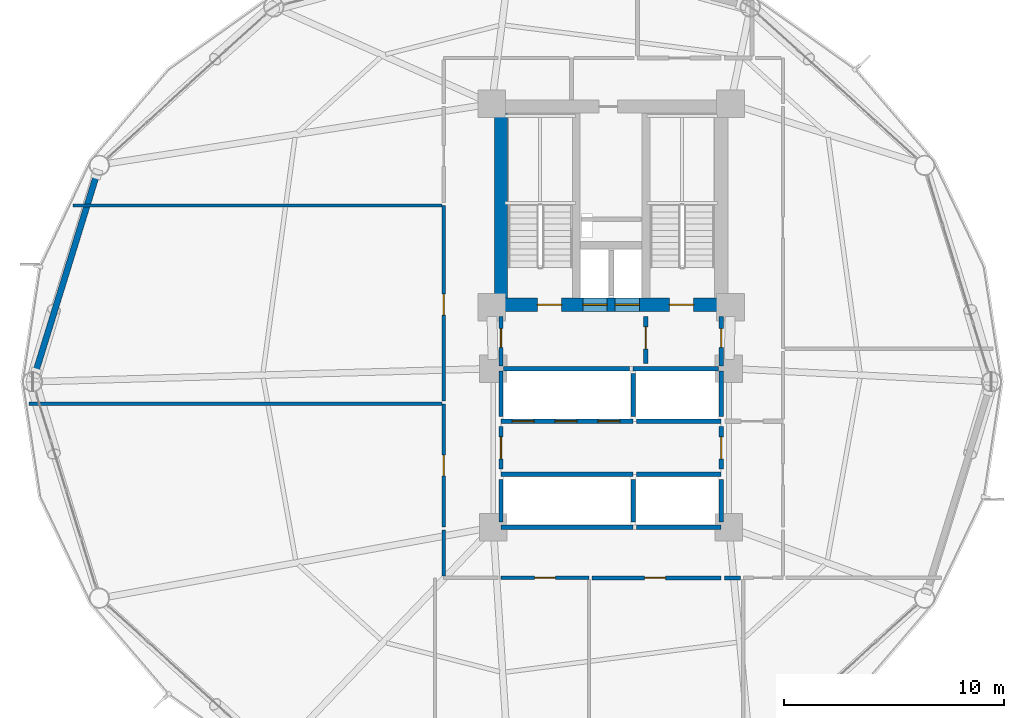
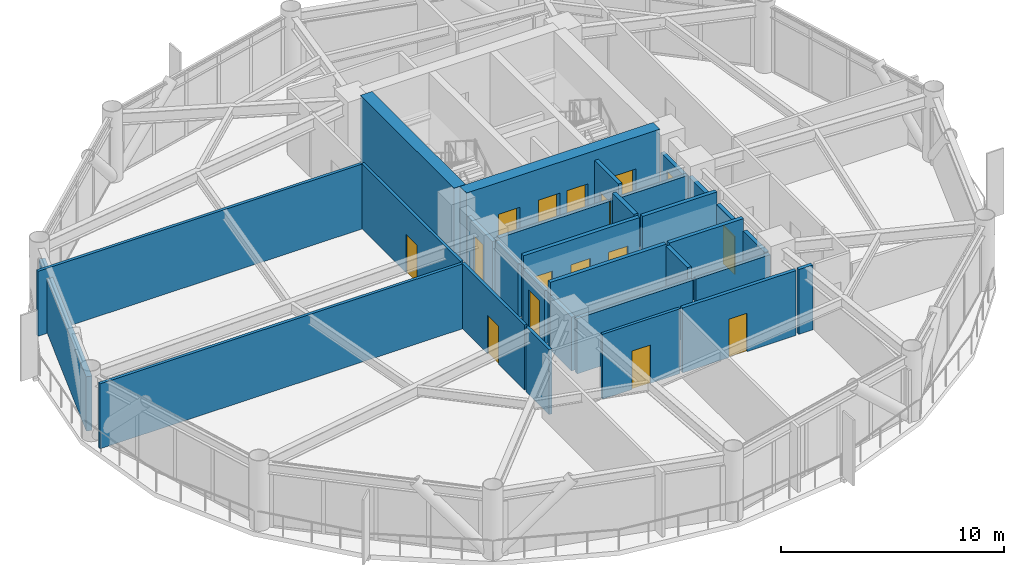
# One storey, part 20 of 25: 30 walls, 16 doors, 16 openings.
"""IFC4 building model written with IfcOpenShell, lengths in metres."""

from ifc_helpers import new_model, si_unit, direction, frame, frame_2d, origin, place, context, subcontext, project, spatial, rectangle, extrude, material, layer, layer_set, type_object, element, fill, save


model = new_model("IFC4")

# Units and contexts
model_context = context("Model", 3, precision=1e-05, world=origin(), true_north=direction((0.0, 1.0)))
body_context = subcontext(model_context, "Body", "Model", "MODEL_VIEW")
ifc_project = project(units=[si_unit("LENGTHUNIT", "METRE"), si_unit("AREAUNIT", "SQUARE_METRE"), si_unit("VOLUMEUNIT", "CUBIC_METRE"), si_unit("PLANEANGLEUNIT", "RADIAN"), si_unit("MASSUNIT", "GRAM", prefix="KILO")], contexts=[model_context])

# Site, building, storey
site_placement = place(None, origin())
site = spatial("IfcSite", under=ifc_project, at=site_placement, CompositionType="ELEMENT")
building_placement = place(site_placement, origin())
building = spatial("IfcBuilding", under=site, at=building_placement, Name="Varnakorn Sky Granary", CompositionType="ELEMENT")
storey_placement = place(building_placement, frame((0.0, 0.0, 74.39990234375)))
storey = spatial("IfcBuildingStorey", under=building, at=storey_placement, Name="L18", CompositionType="ELEMENT", Elevation=74.39990234375)

# Wall, openings, doors
ifc_material_1 = material(Name="Concrete C60/75", Category="concrete")
ifc_layer_1 = layer(ifc_material_1, 0.60009765625, Name="Concrete C60/75")
ifc_layer_set_1 = layer_set([ifc_layer_1], Name="Concrete C60/75")
wall_type_1 = type_object("IfcWallType", Name="WT-CW-SHEAR-600", PredefinedType="SHEAR", material=ifc_layer_set_1)
wall_1_placement = place(storey_placement, frame((-2.0, 3.5, 0.0), z_axis=(0.0, 0.0, 1.0), x_axis=(1.0, 0.0, 0.0)))
wall_1 = element("IfcWall", 1, at=wall_1_placement, inside=storey, type_object=wall_type_1, Name="Core South Shear Wall L18", PredefinedType="SHEAR", context=body_context, shape_type="SweptSolid", body=[
    extrude(rectangle(XDim=10.0, YDim=0.60009765625, at=frame_2d((5.0, 0.0))), origin(), (0.0, 0.0, 1.0), 3.89208984375),
])
opening_1_placement = place(wall_1_placement, frame((1.64990234375, 0.0, 0.0)))
opening_1 = element("IfcOpeningElement", 2, at=opening_1_placement, cuts=wall_1, Name="Opening FD-90", PredefinedType="OPENING", context=body_context, shape_type="SweptSolid", body=[
    extrude(rectangle(XDim=1.10009765625, YDim=2.14990234375, at=frame_2d((0.550048828125, 1.074951171875))), frame((0.0, 0.31005859375, 0.0), z_axis=(0.0, -1.0, 0.0), x_axis=(1.0, 0.0, 0.0)), (0.0, 0.0, 1.0), 0.6201171875),
])
opening_2_placement = place(wall_1_placement, frame((7.64990234375, 0.0, 0.0)))
opening_2 = element("IfcOpeningElement", 3, at=opening_2_placement, cuts=wall_1, Name="Opening FD-90", PredefinedType="OPENING", context=body_context, shape_type="SweptSolid", body=[
    extrude(rectangle(XDim=1.10009765625, YDim=2.14990234375, at=frame_2d((0.550048828125, 1.074951171875))), frame((0.0, 0.31005859375, 0.0), z_axis=(0.0, -1.0, 0.0), x_axis=(1.0, 0.0, 0.0)), (0.0, 0.0, 1.0), 0.6201171875),
])
opening_3_placement = place(wall_1_placement, frame((3.719970703125, 0.0, 0.0)))
opening_3 = element("IfcOpeningElement", 4, at=opening_3_placement, cuts=wall_1, Name="Opening LD-01", PredefinedType="OPENING", context=body_context, shape_type="SweptSolid", body=[
    extrude(rectangle(XDim=1.10009765625, YDim=2.199951171875, at=frame_2d((0.550048828125, 1.10009765625))), frame((0.0, 0.31005859375, 0.0), z_axis=(0.0, -1.0, 0.0), x_axis=(1.0, 0.0, 0.0)), (0.0, 0.0, 1.0), 0.6201171875),
])
opening_4_placement = place(wall_1_placement, frame((5.179931640625, 0.0, 0.0)))
opening_4 = element("IfcOpeningElement", 5, at=opening_4_placement, cuts=wall_1, Name="Opening LD-01", PredefinedType="OPENING", context=body_context, shape_type="SweptSolid", body=[
    extrude(rectangle(XDim=1.10009765625, YDim=2.199951171875, at=frame_2d((0.550048828125, 1.10009765625))), frame((0.0, 0.31005859375, 0.0), z_axis=(0.0, -1.0, 0.0), x_axis=(1.0, 0.0, 0.0)), (0.0, 0.0, 1.0), 0.6201171875),
])
ifc_material_2 = material(Name="Brushed Bronze Stainless Steel", Category="steel")
door_type_1 = type_object("IfcDoorType", Name="DR-LD-1100", OperationType="DOUBLE_DOOR_SLIDING", PredefinedType="DOOR", material=ifc_material_2)
door_1_placement = place(opening_3_placement, origin())
door_1 = element("IfcDoor", 6, at=door_1_placement, inside=storey, type_object=door_type_1, Name="Firefighting Lift FFL-1 Landing Door L18", OperationType="DOUBLE_DOOR_SLIDING", OverallHeight=2.199951171875, OverallWidth=1.10009765625, PredefinedType="DOOR", context=body_context, shape_type="SweptSolid", body=[
    extrude(rectangle(XDim=1.10009765625, YDim=2.199951171875, at=frame_2d((0.550048828125, 1.10009765625))), frame((0.0, 0.02490234375, 0.0), z_axis=(0.0, -1.0, 0.0), x_axis=(1.0, 0.0, 0.0)), (0.0, 0.0, 1.0), 0.050048828125),
])
fill(opening_3, door_1)
door_2_placement = place(opening_4_placement, origin())
door_2 = element("IfcDoor", 7, at=door_2_placement, inside=storey, type_object=door_type_1, Name="Firefighting Lift FFL-2 Landing Door L18", OperationType="DOUBLE_DOOR_SLIDING", OverallHeight=2.199951171875, OverallWidth=1.10009765625, PredefinedType="DOOR", context=body_context, shape_type="SweptSolid", body=[
    extrude(rectangle(XDim=1.10009765625, YDim=2.199951171875, at=frame_2d((0.550048828125, 1.10009765625))), frame((0.0, 0.02490234375, 0.0), z_axis=(0.0, -1.0, 0.0), x_axis=(1.0, 0.0, 0.0)), (0.0, 0.0, 1.0), 0.050048828125),
])
fill(opening_4, door_2)
ifc_material_3 = material(Name="Galvanised Painted Steel Leaf", Category="steel")
door_type_2 = type_object("IfcDoorType", Name="DR-STAIR-1100", OperationType="NOTDEFINED", PredefinedType="DOOR", material=ifc_material_3)
door_3_placement = place(opening_1_placement, origin())
door_3 = element("IfcDoor", 8, at=door_3_placement, inside=storey, type_object=door_type_2, Name="Stair ST-1 Protected Fire Door L18", OperationType="SINGLE_SWING_LEFT", OverallHeight=2.14990234375, OverallWidth=1.10009765625, PredefinedType="DOOR", context=body_context, shape_type="SweptSolid", body=[
    extrude(rectangle(XDim=1.10009765625, YDim=2.14990234375, at=frame_2d((0.550048828125, 1.074951171875))), frame((0.0, 0.02490234375, 0.0), z_axis=(0.0, -1.0, 0.0), x_axis=(1.0, 0.0, 0.0)), (0.0, 0.0, 1.0), 0.050048828125),
])
fill(opening_1, door_3)
door_4_placement = place(opening_2_placement, origin())
door_4 = element("IfcDoor", 9, at=door_4_placement, inside=storey, type_object=door_type_2, Name="Stair ST-2 Protected Fire Door L18", OperationType="SINGLE_SWING_RIGHT", OverallHeight=2.14990234375, OverallWidth=1.10009765625, PredefinedType="DOOR", context=body_context, shape_type="SweptSolid", body=[
    extrude(rectangle(XDim=1.10009765625, YDim=2.14990234375, at=frame_2d((0.550048828125, 1.074951171875))), frame((0.0, 0.02490234375, 0.0), z_axis=(0.0, -1.0, 0.0), x_axis=(1.0, 0.0, 0.0)), (0.0, 0.0, 1.0), 0.050048828125),
])
fill(opening_2, door_4)

# Walls
wall_2_placement = place(storey_placement, frame((-2.0, 3.81005859375, 0.0), z_axis=(0.0, 0.0, 1.0), x_axis=(0.0, 1.0, 0.0)))
element("IfcWall", 10, at=wall_2_placement, inside=storey, type_object=wall_type_1, Name="Core West Shear Wall L18", PredefinedType="SHEAR", context=body_context, shape_type="SweptSolid", body=[
    extrude(rectangle(XDim=8.3798828125, YDim=0.60009765625, at=frame_2d((4.18994140625, 0.0))), origin(), (0.0, 0.0, 1.0), 3.89208984375),
])
ifc_material_4 = material(Name="Precast concrete C40/50", Category="concrete")
ifc_layer_2 = layer(ifc_material_4, 0.280029296875, Name="Precast concrete C40/50")
ifc_layer_set_2 = layer_set([ifc_layer_2], Name="Precast concrete C40/50")
wall_type_2 = type_object("IfcWallType", Name="WT-EW-CRN-280", PredefinedType="SOLIDWALL", material=ifc_layer_set_2)
wall_3_placement = place(storey_placement, frame((-23.140380859375, 0.393798828125, 0.0), z_axis=(0.0, 0.0, 1.0), x_axis=(0.294972891191, 0.955505621889, 0.0)))
element("IfcWall", 11, at=wall_3_placement, inside=storey, type_object=wall_type_2, Name="Agritech Insulated Precast Facade Wall L18-P06", PredefinedType="SOLIDWALL", context=body_context, shape_type="SweptSolid", body=[
    extrude(rectangle(XDim=9.4560546875, YDim=0.280029296875, at=frame_2d((4.72802734375, 0.0))), origin(), (0.0, 0.0, 1.0), 2.97021484375),
])

# Wall, opening, door
ifc_material_5 = material(Name="Autoclaved Aerated Concrete Blockwork", Category="masonry")
ifc_layer_3 = layer(ifc_material_5, 0.199951171875, Name="Autoclaved Aerated Concrete Blockwork")
ifc_layer_set_3 = layer_set([ifc_layer_3], Name="Autoclaved Aerated Concrete Blockwork")
wall_type_3 = type_object("IfcWallType", Name="WT-FIRE-200", PredefinedType="MOVABLE", material=ifc_layer_set_3)
wall_4_placement = place(storey_placement, frame((4.580078125, 0.830078125, 0.0), z_axis=(0.0, 0.0, 1.0), x_axis=(0.0, 1.0, 0.0)))
wall_4 = element("IfcWall", 12, at=wall_4_placement, inside=storey, type_object=wall_type_3, Name="Interior Partition Wall L18-016", PredefinedType="MOVABLE", context=body_context, shape_type="SweptSolid", body=[
    extrude(rectangle(XDim=2.139892578125, YDim=0.199951171875, at=frame_2d((1.06982421875, 0.0))), origin(), (0.0, 0.0, 1.0), 3.550048828125),
])
opening_5_placement = place(wall_4_placement, frame((0.659912109375, 0.0, 0.0)))
opening_5 = element("IfcOpeningElement", 13, at=opening_5_placement, cuts=wall_4, Name="Opening FD-60", PredefinedType="OPENING", context=body_context, shape_type="SweptSolid", body=[
    extrude(rectangle(XDim=1.0, YDim=2.10009765625, at=frame_2d((0.5, 1.050048828125))), frame((0.0, 0.10986328125, 0.0), z_axis=(0.0, -1.0, 0.0), x_axis=(1.0, 0.0, 0.0)), (0.0, 0.0, 1.0), 0.219970703125),
])
ifc_material_6 = material(Name="Acoustic Timber Fire Leaf", Category="wood")
door_type_3 = type_object("IfcDoorType", Name="DR-FD60-1000", OperationType="NOTDEFINED", PredefinedType="DOOR", material=ifc_material_6)
door_5_placement = place(opening_5_placement, origin())
door_5 = element("IfcDoor", 14, at=door_5_placement, inside=storey, type_object=door_type_3, Name="Interior Door L18-016-1", OperationType="SINGLE_SWING_LEFT", OverallHeight=2.10009765625, OverallWidth=1.0, PredefinedType="DOOR", context=body_context, shape_type="SweptSolid", body=[
    extrude(rectangle(XDim=1.0, YDim=2.10009765625, at=frame_2d((0.5, 1.050048828125))), frame((0.0, 0.02490234375, 0.0), z_axis=(0.0, -1.0, 0.0), x_axis=(1.0, 0.0, 0.0)), (0.0, 0.0, 1.0), 0.050048828125),
])
fill(opening_5, door_5)

wall_5_placement = place(storey_placement, frame((-2.0, 0.719970703125, 0.0), z_axis=(0.0, 0.0, 1.0), x_axis=(0.0, 1.0, 0.0)))
wall_5 = element("IfcWall", 15, at=wall_5_placement, inside=storey, type_object=wall_type_3, Name="Interior Partition Wall L18-017", PredefinedType="MOVABLE", context=body_context, shape_type="SweptSolid", body=[
    extrude(rectangle(XDim=2.25, YDim=0.199951171875, at=frame_2d((1.125, 0.0))), origin(), (0.0, 0.0, 1.0), 2.781982421875),
])
opening_6_placement = place(wall_5_placement, frame((0.844970703125, 0.0, 0.0)))
opening_6 = element("IfcOpeningElement", 16, at=opening_6_placement, cuts=wall_5, Name="Opening FD-60N", PredefinedType="OPENING", context=body_context, shape_type="SweptSolid", body=[
    extrude(rectangle(XDim=0.85009765625, YDim=2.10009765625, at=frame_2d((0.425048828125, 1.050048828125))), frame((0.0, 0.10986328125, 0.0), z_axis=(0.0, -1.0, 0.0), x_axis=(1.0, 0.0, 0.0)), (0.0, 0.0, 1.0), 0.219970703125),
])
door_type_4 = type_object("IfcDoorType", Name="DR-FD60-850", OperationType="NOTDEFINED", PredefinedType="DOOR", material=ifc_material_6)
door_6_placement = place(opening_6_placement, origin())
door_6 = element("IfcDoor", 17, at=door_6_placement, inside=storey, type_object=door_type_4, Name="Interior Door L18-017-1", OperationType="SINGLE_SWING_RIGHT", OverallHeight=2.10009765625, OverallWidth=0.85009765625, PredefinedType="DOOR", context=body_context, shape_type="SweptSolid", body=[
    extrude(rectangle(XDim=0.85009765625, YDim=2.10009765625, at=frame_2d((0.425048828125, 1.050048828125))), frame((0.0, 0.02490234375, 0.0), z_axis=(0.0, -1.0, 0.0), x_axis=(1.0, 0.0, 0.0)), (0.0, 0.0, 1.0), 0.050048828125),
])
fill(opening_6, door_6)

wall_6_placement = place(storey_placement, frame((8.0, 0.719970703125, 0.0), z_axis=(0.0, 0.0, 1.0), x_axis=(0.0, 1.0, 0.0)))
wall_6 = element("IfcWall", 18, at=wall_6_placement, inside=storey, type_object=wall_type_3, Name="Interior Partition Wall L18-018", PredefinedType="MOVABLE", context=body_context, shape_type="SweptSolid", body=[
    extrude(rectangle(XDim=2.25, YDim=0.199951171875, at=frame_2d((1.125, 0.0))), origin(), (0.0, 0.0, 1.0), 2.781982421875),
])
opening_7_placement = place(wall_6_placement, frame((0.844970703125, 0.0, 0.0)))
opening_7 = element("IfcOpeningElement", 19, at=opening_7_placement, cuts=wall_6, Name="Opening FD-60N", PredefinedType="OPENING", context=body_context, shape_type="SweptSolid", body=[
    extrude(rectangle(XDim=0.85009765625, YDim=2.10009765625, at=frame_2d((0.425048828125, 1.050048828125))), frame((0.0, 0.10986328125, 0.0), z_axis=(0.0, -1.0, 0.0), x_axis=(1.0, 0.0, 0.0)), (0.0, 0.0, 1.0), 0.219970703125),
])
door_7_placement = place(opening_7_placement, origin())
door_7 = element("IfcDoor", 20, at=door_7_placement, inside=storey, type_object=door_type_4, Name="Interior Door L18-018-1", OperationType="SINGLE_SWING_LEFT", OverallHeight=2.10009765625, OverallWidth=0.85009765625, PredefinedType="DOOR", context=body_context, shape_type="SweptSolid", body=[
    extrude(rectangle(XDim=0.85009765625, YDim=2.10009765625, at=frame_2d((0.425048828125, 1.050048828125))), frame((0.0, 0.02490234375, 0.0), z_axis=(0.0, -1.0, 0.0), x_axis=(1.0, 0.0, 0.0)), (0.0, 0.0, 1.0), 0.050048828125),
])
fill(opening_7, door_7)

wall_7_placement = place(storey_placement, frame((-2.0, -3.969970703125, 0.0), z_axis=(0.0, 0.0, 1.0), x_axis=(0.0, 1.0, 0.0)))
wall_7 = element("IfcWall", 21, at=wall_7_placement, inside=storey, type_object=wall_type_3, Name="Interior Partition Wall L18-019", PredefinedType="MOVABLE", context=body_context, shape_type="SweptSolid", body=[
    extrude(rectangle(XDim=1.93994140625, YDim=0.199951171875, at=frame_2d((0.969970703125, 0.0))), origin(), (0.0, 0.0, 1.0), 2.93212890625),
])
opening_8_placement = place(wall_7_placement, frame((0.469970703125, 0.0, 0.0)))
opening_8 = element("IfcOpeningElement", 22, at=opening_8_placement, cuts=wall_7, Name="Opening FD-60", PredefinedType="OPENING", context=body_context, shape_type="SweptSolid", body=[
    extrude(rectangle(XDim=1.0, YDim=2.10009765625, at=frame_2d((0.5, 1.050048828125))), frame((0.0, 0.10986328125, 0.0), z_axis=(0.0, -1.0, 0.0), x_axis=(1.0, 0.0, 0.0)), (0.0, 0.0, 1.0), 0.219970703125),
])
door_8_placement = place(opening_8_placement, origin())
door_8 = element("IfcDoor", 23, at=door_8_placement, inside=storey, type_object=door_type_3, Name="Interior Door L18-019-1", OperationType="SINGLE_SWING_RIGHT", OverallHeight=2.10009765625, OverallWidth=1.0, PredefinedType="DOOR", context=body_context, shape_type="SweptSolid", body=[
    extrude(rectangle(XDim=1.0, YDim=2.10009765625, at=frame_2d((0.5, 1.050048828125))), frame((0.0, 0.02490234375, 0.0), z_axis=(0.0, -1.0, 0.0), x_axis=(1.0, 0.0, 0.0)), (0.0, 0.0, 1.0), 0.050048828125),
])
fill(opening_8, door_8)

wall_8_placement = place(storey_placement, frame((8.0, -3.969970703125, 0.0), z_axis=(0.0, 0.0, 1.0), x_axis=(0.0, 1.0, 0.0)))
wall_8 = element("IfcWall", 24, at=wall_8_placement, inside=storey, type_object=wall_type_3, Name="Interior Partition Wall L18-020", PredefinedType="MOVABLE", context=body_context, shape_type="SweptSolid", body=[
    extrude(rectangle(XDim=1.93994140625, YDim=0.199951171875, at=frame_2d((0.969970703125, 0.0))), origin(), (0.0, 0.0, 1.0), 2.982177734375),
])
opening_9_placement = place(wall_8_placement, frame((0.469970703125, 0.0, 0.0)))
opening_9 = element("IfcOpeningElement", 25, at=opening_9_placement, cuts=wall_8, Name="Opening FD-60", PredefinedType="OPENING", context=body_context, shape_type="SweptSolid", body=[
    extrude(rectangle(XDim=1.0, YDim=2.10009765625, at=frame_2d((0.5, 1.050048828125))), frame((0.0, 0.10986328125, 0.0), z_axis=(0.0, -1.0, 0.0), x_axis=(1.0, 0.0, 0.0)), (0.0, 0.0, 1.0), 0.219970703125),
])
door_9_placement = place(opening_9_placement, origin())
door_9 = element("IfcDoor", 26, at=door_9_placement, inside=storey, type_object=door_type_3, Name="Interior Door L18-020-1", OperationType="SINGLE_SWING_LEFT", OverallHeight=2.10009765625, OverallWidth=1.0, PredefinedType="DOOR", context=body_context, shape_type="SweptSolid", body=[
    extrude(rectangle(XDim=1.0, YDim=2.10009765625, at=frame_2d((0.5, 1.050048828125))), frame((0.0, 0.02490234375, 0.0), z_axis=(0.0, -1.0, 0.0), x_axis=(1.0, 0.0, 0.0)), (0.0, 0.0, 1.0), 0.050048828125),
])
fill(opening_9, door_9)

# Wall
wall_9_placement = place(storey_placement, frame((-1.8798828125, 0.60009765625, 0.0), z_axis=(0.0, 0.0, 1.0), x_axis=(1.0, 0.0, 0.0)))
element("IfcWall", 27, at=wall_9_placement, inside=storey, type_object=wall_type_3, Name="Interior Partition Wall L18-031", PredefinedType="MOVABLE", context=body_context, shape_type="SweptSolid", body=[
    extrude(rectangle(XDim=5.719970703125, YDim=0.199951171875, at=frame_2d((2.85986328125, 0.0))), origin(), (0.0, 0.0, 1.0), 3.031982421875),
])

# Wall, opening, door
ifc_material_7 = material(Name="Gypsum Plasterboard on Steel Stud", Category="steel")
ifc_layer_4 = layer(ifc_material_7, 0.14990234375, Name="Gypsum Plasterboard on Steel Stud")
ifc_layer_set_4 = layer_set([ifc_layer_4], Name="Gypsum Plasterboard on Steel Stud")
wall_type_4 = type_object("IfcWallType", Name="WT-PART-150", PredefinedType="PARTITIONING", material=ifc_layer_set_4)
wall_10_placement = place(storey_placement, frame((-2.0, -8.89990234375, 0.0), z_axis=(0.0, 0.0, 1.0), x_axis=(1.0, 0.0, 0.0)))
wall_10 = element("IfcWall", 28, at=wall_10_placement, inside=storey, type_object=wall_type_4, Name="Interior Partition Wall L18-023", PredefinedType="PARTITIONING", context=body_context, shape_type="SweptSolid", body=[
    extrude(rectangle(XDim=4.0, YDim=0.14990234375, at=frame_2d((2.0, 0.0))), origin(), (0.0, 0.0, 1.0), 3.550048828125),
])
opening_10_placement = place(wall_10_placement, frame((1.52490234375, 0.0, 0.0)))
opening_10 = element("IfcOpeningElement", 29, at=opening_10_placement, cuts=wall_10, Name="Opening ID-95", PredefinedType="OPENING", context=body_context, shape_type="SweptSolid", body=[
    extrude(rectangle(XDim=0.949951171875, YDim=2.10009765625, at=frame_2d((0.47509765625, 1.050048828125))), frame((0.0, 0.0849609375, 0.0), z_axis=(0.0, -1.0, 0.0), x_axis=(1.0, 0.0, 0.0)), (0.0, 0.0, 1.0), 0.169921875),
])
ifc_material_8 = material(Name="Solid-Core Teak Veneer Leaf", Category="timber")
door_type_5 = type_object("IfcDoorType", Name="DR-INT-950", OperationType="NOTDEFINED", PredefinedType="DOOR", material=ifc_material_8)
door_10_placement = place(opening_10_placement, origin())
door_10 = element("IfcDoor", 30, at=door_10_placement, inside=storey, type_object=door_type_5, Name="Interior Door L18-023-1", OperationType="SINGLE_SWING_RIGHT", OverallHeight=2.10009765625, OverallWidth=0.949951171875, PredefinedType="DOOR", context=body_context, shape_type="SweptSolid", body=[
    extrude(rectangle(XDim=0.949951171875, YDim=2.10009765625, at=frame_2d((0.47509765625, 1.050048828125))), frame((0.0, 0.02490234375, 0.0), z_axis=(0.0, -1.0, 0.0), x_axis=(1.0, 0.0, 0.0)), (0.0, 0.0, 1.0), 0.050048828125),
])
fill(opening_10, door_10)

wall_11_placement = place(storey_placement, frame((-4.60009765625, -1.0, 0.0), z_axis=(0.0, 0.0, 1.0), x_axis=(0.0, -1.0, 0.0)))
wall_11 = element("IfcWall", 31, at=wall_11_placement, inside=storey, type_object=wall_type_4, Name="Interior Partition Wall L18-026", PredefinedType="PARTITIONING", context=body_context, shape_type="SweptSolid", body=[
    extrude(rectangle(XDim=5.60009765625, YDim=0.14990234375, at=frame_2d((2.800048828125, 0.0))), origin(), (0.0, 0.0, 1.0), 3.550048828125),
])
opening_11_placement = place(wall_11_placement, frame((2.324951171875, 0.0, 0.0)))
opening_11 = element("IfcOpeningElement", 32, at=opening_11_placement, cuts=wall_11, Name="Opening ID-95", PredefinedType="OPENING", context=body_context, shape_type="SweptSolid", body=[
    extrude(rectangle(XDim=0.949951171875, YDim=2.10009765625, at=frame_2d((0.47509765625, 1.050048828125))), frame((0.0, 0.0849609375, 0.0), z_axis=(0.0, -1.0, 0.0), x_axis=(1.0, 0.0, 0.0)), (0.0, 0.0, 1.0), 0.169921875),
])
door_11_placement = place(opening_11_placement, origin())
door_11 = element("IfcDoor", 33, at=door_11_placement, inside=storey, type_object=door_type_5, Name="Interior Door L18-026-1", OperationType="SINGLE_SWING_LEFT", OverallHeight=2.10009765625, OverallWidth=0.949951171875, PredefinedType="DOOR", context=body_context, shape_type="SweptSolid", body=[
    extrude(rectangle(XDim=0.949951171875, YDim=2.10009765625, at=frame_2d((0.47509765625, 1.050048828125))), frame((0.0, 0.02490234375, 0.0), z_axis=(0.0, -1.0, 0.0), x_axis=(1.0, 0.0, 0.0)), (0.0, 0.0, 1.0), 0.050048828125),
])
fill(opening_11, door_11)

wall_12_placement = place(storey_placement, frame((-4.60009765625, 8.0, 0.0), z_axis=(0.0, 0.0, 1.0), x_axis=(0.0, -1.0, 0.0)))
wall_12 = element("IfcWall", 34, at=wall_12_placement, inside=storey, type_object=wall_type_4, Name="Interior Partition Wall L18-027", PredefinedType="PARTITIONING", context=body_context, shape_type="SweptSolid", body=[
    extrude(rectangle(XDim=8.864990234375, YDim=0.14990234375, at=frame_2d((4.4326171875, 0.0))), origin(), (0.0, 0.0, 1.0), 3.550048828125),
])
opening_12_placement = place(wall_12_placement, frame((4.02490234375, 0.0, 0.0)))
opening_12 = element("IfcOpeningElement", 35, at=opening_12_placement, cuts=wall_12, Name="Opening ID-95", PredefinedType="OPENING", context=body_context, shape_type="SweptSolid", body=[
    extrude(rectangle(XDim=0.949951171875, YDim=2.10009765625, at=frame_2d((0.47509765625, 1.050048828125))), frame((0.0, 0.0849609375, 0.0), z_axis=(0.0, -1.0, 0.0), x_axis=(1.0, 0.0, 0.0)), (0.0, 0.0, 1.0), 0.169921875),
])
door_12_placement = place(opening_12_placement, origin())
door_12 = element("IfcDoor", 36, at=door_12_placement, inside=storey, type_object=door_type_5, Name="Interior Door L18-027-1", OperationType="SINGLE_SWING_RIGHT", OverallHeight=2.10009765625, OverallWidth=0.949951171875, PredefinedType="DOOR", context=body_context, shape_type="SweptSolid", body=[
    extrude(rectangle(XDim=0.949951171875, YDim=2.10009765625, at=frame_2d((0.47509765625, 1.050048828125))), frame((0.0, 0.02490234375, 0.0), z_axis=(0.0, -1.0, 0.0), x_axis=(1.0, 0.0, 0.0)), (0.0, 0.0, 1.0), 0.050048828125),
])
fill(opening_12, door_12)

# Walls
wall_13_placement = place(storey_placement, frame((-4.60009765625, -6.735107421875, 0.0), z_axis=(0.0, 0.0, 1.0), x_axis=(0.0, -1.0, 0.0)))
element("IfcWall", 37, at=wall_13_placement, inside=storey, type_object=wall_type_4, Name="Interior Partition Wall L18-040", PredefinedType="PARTITIONING", context=body_context, shape_type="SweptSolid", body=[
    extrude(rectangle(XDim=2.079833984375, YDim=0.14990234375, at=frame_2d((1.0400390625, 0.0))), origin(), (0.0, 0.0, 1.0), 3.550048828125),
])
wall_14_placement = place(storey_placement, frame((-23.4189453125, -1.0, 0.0), z_axis=(0.0, 0.0, 1.0), x_axis=(1.0, 0.0, 0.0)))
element("IfcWall", 38, at=wall_14_placement, inside=storey, type_object=wall_type_4, Name="Interior Partition Wall L18-041", PredefinedType="PARTITIONING", context=body_context, shape_type="SweptSolid", body=[
    extrude(rectangle(XDim=18.73388671875, YDim=0.14990234375, at=frame_2d((9.366943359375, 0.0))), origin(), (0.0, 0.0, 1.0), 3.550048828125),
])
wall_15_placement = place(storey_placement, frame((-21.43896484375, 8.0, 0.0), z_axis=(0.0, 0.0, 1.0), x_axis=(1.0, 0.0, 0.0)))
element("IfcWall", 39, at=wall_15_placement, inside=storey, type_object=wall_type_4, Name="Interior Partition Wall L18-042", PredefinedType="PARTITIONING", context=body_context, shape_type="SweptSolid", body=[
    extrude(rectangle(XDim=16.75390625, YDim=0.14990234375, at=frame_2d((8.376953125, 0.0))), origin(), (0.0, 0.0, 1.0), 3.550048828125),
])

# Wall, opening, door
ifc_material_9 = material(Name="Moisture-Resistant Gypsum on Stud", Category="gypsum")
ifc_layer_5 = layer(ifc_material_9, 0.179931640625, Name="Moisture-Resistant Gypsum on Stud")
ifc_layer_set_5 = layer_set([ifc_layer_5], Name="Moisture-Resistant Gypsum on Stud")
wall_type_5 = type_object("IfcWallType", Name="WT-PLUMB-180", PredefinedType="PLUMBINGWALL", material=ifc_layer_set_5)
wall_16_placement = place(storey_placement, frame((2.135009765625, -8.89990234375, 0.0), z_axis=(0.0, 0.0, 1.0), x_axis=(1.0, 0.0, 0.0)))
wall_16 = element("IfcWall", 40, at=wall_16_placement, inside=storey, type_object=wall_type_5, Name="Interior Partition Wall L18-024", PredefinedType="PLUMBINGWALL", context=body_context, shape_type="SweptSolid", body=[
    extrude(rectangle(XDim=5.864990234375, YDim=0.179931640625, at=frame_2d((2.9326171875, 0.0))), origin(), (0.0, 0.0, 1.0), 3.550048828125),
])
opening_13_placement = place(wall_16_placement, frame((2.389892578125, 0.0, 0.0)))
opening_13 = element("IfcOpeningElement", 41, at=opening_13_placement, cuts=wall_16, Name="Opening ID-95", PredefinedType="OPENING", context=body_context, shape_type="SweptSolid", body=[
    extrude(rectangle(XDim=0.949951171875, YDim=2.10009765625, at=frame_2d((0.47509765625, 1.050048828125))), frame((0.0, 0.10009765625, 0.0), z_axis=(0.0, -1.0, 0.0), x_axis=(1.0, 0.0, 0.0)), (0.0, 0.0, 1.0), 0.199951171875),
])
door_13_placement = place(opening_13_placement, origin())
door_13 = element("IfcDoor", 42, at=door_13_placement, inside=storey, type_object=door_type_5, Name="Interior Door L18-024-1", OperationType="SINGLE_SWING_LEFT", OverallHeight=2.10009765625, OverallWidth=0.949951171875, PredefinedType="DOOR", context=body_context, shape_type="SweptSolid", body=[
    extrude(rectangle(XDim=0.949951171875, YDim=2.10009765625, at=frame_2d((0.47509765625, 1.050048828125))), frame((0.0, 0.02490234375, 0.0), z_axis=(0.0, -1.0, 0.0), x_axis=(1.0, 0.0, 0.0)), (0.0, 0.0, 1.0), 0.050048828125),
])
fill(opening_13, door_13)

# Walls
wall_17_placement = place(storey_placement, frame((8.14990234375, -8.89990234375, 0.0), z_axis=(0.0, 0.0, 1.0), x_axis=(1.0, 0.0, 0.0)))
element("IfcWall", 43, at=wall_17_placement, inside=storey, type_object=wall_type_5, Name="Interior Partition Wall L18-037", PredefinedType="PLUMBINGWALL", context=body_context, shape_type="SweptSolid", body=[
    extrude(rectangle(XDim=0.715087890625, YDim=0.179931640625, at=frame_2d((0.357421875, 0.0))), origin(), (0.0, 0.0, 1.0), 3.550048828125),
])
ifc_layer_6 = layer(ifc_material_5, 0.199951171875, Name="Autoclaved Aerated Concrete Blockwork")
ifc_layer_set_6 = layer_set([ifc_layer_6], Name="Autoclaved Aerated Concrete Blockwork")
wall_type_6 = type_object("IfcWallType", Name="WT-SHAFT-200", PredefinedType="SOLIDWALL", material=ifc_layer_set_6)
wall_18_placement = place(storey_placement, frame((4.0, 0.60009765625, 0.0), z_axis=(0.0, 0.0, 1.0), x_axis=(1.0, 0.0, 0.0)))
element("IfcWall", 44, at=wall_18_placement, inside=storey, type_object=wall_type_6, Name="Interior Partition Wall L18-003", PredefinedType="SOLIDWALL", context=body_context, shape_type="SweptSolid", body=[
    extrude(rectangle(XDim=3.8798828125, YDim=0.199951171875, at=frame_2d((1.93994140625, 0.0))), origin(), (0.0, 0.0, 1.0), 3.031982421875),
])

# Wall, openings, doors
wall_19_placement = place(storey_placement, frame((-2.0, -1.800048828125, 0.0), z_axis=(0.0, 0.0, 1.0), x_axis=(1.0, 0.0, 0.0)))
wall_19 = element("IfcWall", 45, at=wall_19_placement, inside=storey, type_object=wall_type_6, Name="Interior Partition Wall L18-004", PredefinedType="SOLIDWALL", context=body_context, shape_type="SweptSolid", body=[
    extrude(rectangle(XDim=6.0, YDim=0.199951171875, at=frame_2d((3.0, 0.0))), origin(), (0.0, 0.0, 1.0), 3.550048828125),
])
opening_14_placement = place(wall_19_placement, frame((0.5, 0.0, 0.0)))
opening_14 = element("IfcOpeningElement", 46, at=opening_14_placement, cuts=wall_19, Name="Opening LD-03", PredefinedType="OPENING", context=body_context, shape_type="SweptSolid", body=[
    extrude(rectangle(XDim=1.0, YDim=2.199951171875, at=frame_2d((0.5, 1.10009765625))), frame((0.0, 0.10986328125, 0.0), z_axis=(0.0, -1.0, 0.0), x_axis=(1.0, 0.0, 0.0)), (0.0, 0.0, 1.0), 0.219970703125),
])
opening_15_placement = place(wall_19_placement, frame((2.449951171875, 0.0, 0.0)))
opening_15 = element("IfcOpeningElement", 47, at=opening_15_placement, cuts=wall_19, Name="Opening LD-03", PredefinedType="OPENING", context=body_context, shape_type="SweptSolid", body=[
    extrude(rectangle(XDim=1.0, YDim=2.199951171875, at=frame_2d((0.5, 1.10009765625))), frame((0.0, 0.10986328125, 0.0), z_axis=(0.0, -1.0, 0.0), x_axis=(1.0, 0.0, 0.0)), (0.0, 0.0, 1.0), 0.219970703125),
])
opening_16_placement = place(wall_19_placement, frame((4.39990234375, 0.0, 0.0)))
opening_16 = element("IfcOpeningElement", 48, at=opening_16_placement, cuts=wall_19, Name="Opening LD-03", PredefinedType="OPENING", context=body_context, shape_type="SweptSolid", body=[
    extrude(rectangle(XDim=1.0, YDim=2.199951171875, at=frame_2d((0.5, 1.10009765625))), frame((0.0, 0.10986328125, 0.0), z_axis=(0.0, -1.0, 0.0), x_axis=(1.0, 0.0, 0.0)), (0.0, 0.0, 1.0), 0.219970703125),
])
door_type_6 = type_object("IfcDoorType", Name="DR-LD-1000", OperationType="DOUBLE_DOOR_SLIDING", PredefinedType="DOOR", material=ifc_material_2)
door_14_placement = place(opening_14_placement, origin())
door_14 = element("IfcDoor", 49, at=door_14_placement, inside=storey, type_object=door_type_6, Name="Passenger Lift PL-L1 Sliding Landing Door L18", OperationType="DOUBLE_DOOR_SLIDING", OverallHeight=2.199951171875, OverallWidth=1.0, PredefinedType="DOOR", context=body_context, shape_type="SweptSolid", body=[
    extrude(rectangle(XDim=1.0, YDim=2.199951171875, at=frame_2d((0.5, 1.10009765625))), frame((0.0, 0.02490234375, 0.0), z_axis=(0.0, -1.0, 0.0), x_axis=(1.0, 0.0, 0.0)), (0.0, 0.0, 1.0), 0.050048828125),
])
fill(opening_14, door_14)
door_15_placement = place(opening_15_placement, origin())
door_15 = element("IfcDoor", 50, at=door_15_placement, inside=storey, type_object=door_type_6, Name="Passenger Lift PL-L2 Sliding Landing Door L18", OperationType="DOUBLE_DOOR_SLIDING", OverallHeight=2.199951171875, OverallWidth=1.0, PredefinedType="DOOR", context=body_context, shape_type="SweptSolid", body=[
    extrude(rectangle(XDim=1.0, YDim=2.199951171875, at=frame_2d((0.5, 1.10009765625))), frame((0.0, 0.02490234375, 0.0), z_axis=(0.0, -1.0, 0.0), x_axis=(1.0, 0.0, 0.0)), (0.0, 0.0, 1.0), 0.050048828125),
])
fill(opening_15, door_15)
door_16_placement = place(opening_16_placement, origin())
door_16 = element("IfcDoor", 51, at=door_16_placement, inside=storey, type_object=door_type_6, Name="Passenger Lift PL-L3 Sliding Landing Door L18", OperationType="DOUBLE_DOOR_SLIDING", OverallHeight=2.199951171875, OverallWidth=1.0, PredefinedType="DOOR", context=body_context, shape_type="SweptSolid", body=[
    extrude(rectangle(XDim=1.0, YDim=2.199951171875, at=frame_2d((0.5, 1.10009765625))), frame((0.0, 0.02490234375, 0.0), z_axis=(0.0, -1.0, 0.0), x_axis=(1.0, 0.0, 0.0)), (0.0, 0.0, 1.0), 0.050048828125),
])
fill(opening_16, door_16)

# Walls
wall_20_placement = place(storey_placement, frame((-2.0, -1.570068359375, 0.0), z_axis=(0.0, 0.0, 1.0), x_axis=(0.0, 1.0, 0.0)))
element("IfcWall", 52, at=wall_20_placement, inside=storey, type_object=wall_type_6, Name="Interior Partition Wall L18-005", PredefinedType="SOLIDWALL", context=body_context, shape_type="SweptSolid", body=[
    extrude(rectangle(XDim=2.050048828125, YDim=0.199951171875, at=frame_2d((1.02490234375, 0.0))), origin(), (0.0, 0.0, 1.0), 2.93212890625),
])
wall_21_placement = place(storey_placement, frame((4.159912109375, -1.800048828125, 0.0), z_axis=(0.0, 0.0, 1.0), x_axis=(1.0, 0.0, 0.0)))
element("IfcWall", 53, at=wall_21_placement, inside=storey, type_object=wall_type_6, Name="Interior Partition Wall L18-006", PredefinedType="SOLIDWALL", context=body_context, shape_type="SweptSolid", body=[
    extrude(rectangle(XDim=3.840087890625, YDim=0.199951171875, at=frame_2d((1.919921875, 0.0))), origin(), (0.0, 0.0, 1.0), 3.550048828125),
])
wall_22_placement = place(storey_placement, frame((4.0, -1.570068359375, 0.0), z_axis=(0.0, 0.0, 1.0), x_axis=(0.0, 1.0, 0.0)))
element("IfcWall", 54, at=wall_22_placement, inside=storey, type_object=wall_type_6, Name="Interior Partition Wall L18-007", PredefinedType="SOLIDWALL", context=body_context, shape_type="SweptSolid", body=[
    extrude(rectangle(XDim=1.940185546875, YDim=0.199951171875, at=frame_2d((0.97021484375, 0.0))), origin(), (0.0, 0.0, 1.0), 3.550048828125),
])
wall_23_placement = place(storey_placement, frame((8.0, -1.570068359375, 0.0), z_axis=(0.0, 0.0, 1.0), x_axis=(0.0, 1.0, 0.0)))
element("IfcWall", 55, at=wall_23_placement, inside=storey, type_object=wall_type_6, Name="Interior Partition Wall L18-008", PredefinedType="SOLIDWALL", context=body_context, shape_type="SweptSolid", body=[
    extrude(rectangle(XDim=2.050048828125, YDim=0.199951171875, at=frame_2d((1.02490234375, 0.0))), origin(), (0.0, 0.0, 1.0), 2.982177734375),
])
wall_24_placement = place(storey_placement, frame((-2.0, -4.199951171875, 0.0), z_axis=(0.0, 0.0, 1.0), x_axis=(1.0, 0.0, 0.0)))
element("IfcWall", 56, at=wall_24_placement, inside=storey, type_object=wall_type_6, Name="Interior Partition Wall L18-009", PredefinedType="SOLIDWALL", context=body_context, shape_type="SweptSolid", body=[
    extrude(rectangle(XDim=6.0, YDim=0.199951171875, at=frame_2d((3.0, 0.0))), origin(), (0.0, 0.0, 1.0), 3.550048828125),
])
wall_25_placement = place(storey_placement, frame((-2.0, -6.60009765625, 0.0), z_axis=(0.0, 0.0, 1.0), x_axis=(1.0, 0.0, 0.0)))
element("IfcWall", 57, at=wall_25_placement, inside=storey, type_object=wall_type_6, Name="Interior Partition Wall L18-010", PredefinedType="SOLIDWALL", context=body_context, shape_type="SweptSolid", body=[
    extrude(rectangle(XDim=6.0, YDim=0.199951171875, at=frame_2d((3.0, 0.0))), origin(), (0.0, 0.0, 1.0), 3.031982421875),
])
wall_26_placement = place(storey_placement, frame((-2.0, -6.3701171875, 0.0), z_axis=(0.0, 0.0, 1.0), x_axis=(0.0, 1.0, 0.0)))
element("IfcWall", 58, at=wall_26_placement, inside=storey, type_object=wall_type_6, Name="Interior Partition Wall L18-011", PredefinedType="SOLIDWALL", context=body_context, shape_type="SweptSolid", body=[
    extrude(rectangle(XDim=1.940185546875, YDim=0.199951171875, at=frame_2d((0.97021484375, 0.0))), origin(), (0.0, 0.0, 1.0), 2.93212890625),
])
wall_27_placement = place(storey_placement, frame((4.159912109375, -4.199951171875, 0.0), z_axis=(0.0, 0.0, 1.0), x_axis=(1.0, 0.0, 0.0)))
element("IfcWall", 59, at=wall_27_placement, inside=storey, type_object=wall_type_6, Name="Interior Partition Wall L18-012", PredefinedType="SOLIDWALL", context=body_context, shape_type="SweptSolid", body=[
    extrude(rectangle(XDim=3.840087890625, YDim=0.199951171875, at=frame_2d((1.919921875, 0.0))), origin(), (0.0, 0.0, 1.0), 3.550048828125),
])
wall_28_placement = place(storey_placement, frame((4.159912109375, -6.60009765625, 0.0), z_axis=(0.0, 0.0, 1.0), x_axis=(1.0, 0.0, 0.0)))
element("IfcWall", 60, at=wall_28_placement, inside=storey, type_object=wall_type_6, Name="Interior Partition Wall L18-013", PredefinedType="SOLIDWALL", context=body_context, shape_type="SweptSolid", body=[
    extrude(rectangle(XDim=3.840087890625, YDim=0.199951171875, at=frame_2d((1.919921875, 0.0))), origin(), (0.0, 0.0, 1.0), 3.031982421875),
])
wall_29_placement = place(storey_placement, frame((4.0, -6.3701171875, 0.0), z_axis=(0.0, 0.0, 1.0), x_axis=(0.0, 1.0, 0.0)))
element("IfcWall", 61, at=wall_29_placement, inside=storey, type_object=wall_type_6, Name="Interior Partition Wall L18-014", PredefinedType="SOLIDWALL", context=body_context, shape_type="SweptSolid", body=[
    extrude(rectangle(XDim=1.940185546875, YDim=0.199951171875, at=frame_2d((0.97021484375, 0.0))), origin(), (0.0, 0.0, 1.0), 3.550048828125),
])
wall_30_placement = place(storey_placement, frame((8.0, -6.3701171875, 0.0), z_axis=(0.0, 0.0, 1.0), x_axis=(0.0, 1.0, 0.0)))
element("IfcWall", 62, at=wall_30_placement, inside=storey, type_object=wall_type_6, Name="Interior Partition Wall L18-015", PredefinedType="SOLIDWALL", context=body_context, shape_type="SweptSolid", body=[
    extrude(rectangle(XDim=1.940185546875, YDim=0.199951171875, at=frame_2d((0.97021484375, 0.0))), origin(), (0.0, 0.0, 1.0), 2.982177734375),
])

save(model, "model.ifc")
